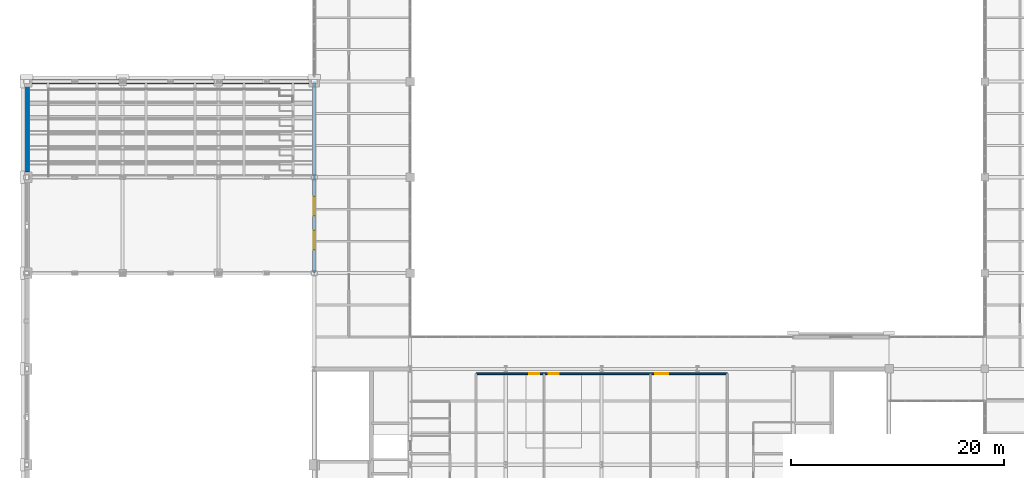
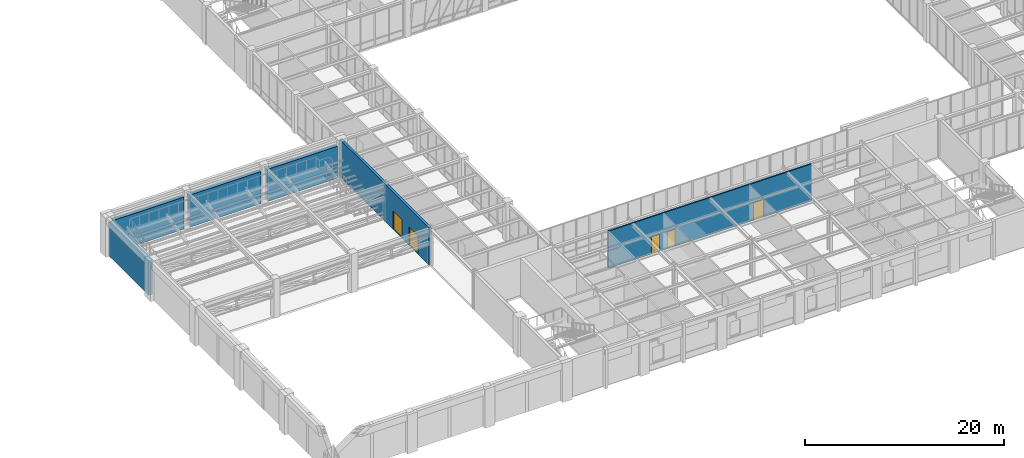
# One storey, part 80 of 92: 6 walls, 5 doors, 5 openings.
"""IFC4 building model written with IfcOpenShell, lengths in metres."""

from ifc_helpers import new_model, si_unit, direction, frame, frame_2d, origin, place, context, subcontext, project, spatial, rectangle, extrude, material, layer, layer_set, type_object, element, fill, save


model = new_model("IFC4")

# Units and contexts
model_context = context("Model", 3, precision=1e-05, world=origin(), true_north=direction((0.0, 1.0)))
body_context = subcontext(model_context, "Body", "Model", "MODEL_VIEW")
ifc_project = project(units=[si_unit("LENGTHUNIT", "METRE"), si_unit("AREAUNIT", "SQUARE_METRE"), si_unit("VOLUMEUNIT", "CUBIC_METRE"), si_unit("PLANEANGLEUNIT", "RADIAN"), si_unit("MASSUNIT", "GRAM", prefix="KILO")], contexts=[model_context])

# Site, building, storey
site_placement = place(None, origin())
site = spatial("IfcSite", under=ifc_project, at=site_placement, CompositionType="ELEMENT")
building_placement = place(site_placement, origin())
building = spatial("IfcBuilding", under=site, at=building_placement, Name="Lykobir Media Centre", CompositionType="ELEMENT")
storey_placement = place(building_placement, frame((0.0, 0.0, 5.39990234375)))
storey = spatial("IfcBuildingStorey", under=building, at=storey_placement, Name="L01", CompositionType="ELEMENT", Elevation=5.39990234375)

# Walls
ifc_material_1 = material(Name="Concrete C35/45", Category="concrete")
ifc_layer_1 = layer(ifc_material_1, 0.4599609375, Name="Concrete C35/45")
ifc_layer_set_1 = layer_set([ifc_layer_1], Name="Concrete C35/45")
wall_type_1 = type_object("IfcWallType", Name="EW-ACO-460", PredefinedType="STANDARD", material=ifc_layer_set_1)
wall_1_placement = place(storey_placement, frame((8.6650390625, 45.0, 0.0), z_axis=(0.0, 0.0, 1.0), x_axis=(-1.0, 0.0, 0.0)))
element("IfcWall", 1, at=wall_1_placement, inside=storey, type_object=wall_type_1, Name="Exterior wall WALL-L01-0144", PredefinedType="STANDARD", context=body_context, shape_type="SweptSolid", body=[
    extrude(rectangle(XDim=8.179931640625, YDim=0.4599609375, at=frame_2d((4.08984375, 0.0))), origin(), (0.0, 0.0, 1.0), 3.93505859375),
])
wall_2_placement = place(storey_placement, frame((17.614990234375, 45.0, 0.0), z_axis=(0.0, 0.0, 1.0), x_axis=(-1.0, 0.0, 0.0)))
element("IfcWall", 2, at=wall_2_placement, inside=storey, type_object=wall_type_1, Name="Exterior wall WALL-L01-0145", PredefinedType="STANDARD", context=body_context, shape_type="SweptSolid", body=[
    extrude(rectangle(XDim=8.280029296875, YDim=0.4599609375, at=frame_2d((4.14013671875, 0.0))), origin(), (0.0, 0.0, 1.0), 3.93505859375),
])
wall_3_placement = place(storey_placement, frame((26.514892578125, 45.0, 0.0), z_axis=(0.0, 0.0, 1.0), x_axis=(-1.0, 0.0, 0.0)))
element("IfcWall", 3, at=wall_3_placement, inside=storey, type_object=wall_type_1, Name="Exterior wall WALL-L01-0146", PredefinedType="STANDARD", context=body_context, shape_type="SweptSolid", body=[
    extrude(rectangle(XDim=8.1298828125, YDim=0.4599609375, at=frame_2d((4.06494140625, 0.0))), origin(), (0.0, 0.0, 1.0), 3.93505859375),
])
wall_4_placement = place(storey_placement, frame((0.0, 44.514892578125, 0.0), z_axis=(0.0, 0.0, 1.0), x_axis=(0.0, -1.0, 0.0)))
element("IfcWall", 4, at=wall_4_placement, inside=storey, type_object=wall_type_1, Name="Exterior wall WALL-L01-0148", PredefinedType="STANDARD", context=body_context, shape_type="SweptSolid", body=[
    extrude(rectangle(XDim=8.02978515625, YDim=0.4599609375, at=frame_2d((4.014892578125, 0.0))), origin(), (0.0, 0.0, 1.0), 4.18505859375),
])

# Wall, openings, doors
ifc_material_2 = material(Name="Acoustic Gypsum Board", Category="gypsum")
ifc_layer_2 = layer(ifc_material_2, 0.159912109375, Name="Acoustic Gypsum Board")
ifc_layer_set_2 = layer_set([ifc_layer_2], Name="Acoustic Gypsum Board")
wall_type_2 = type_object("IfcWallType", Name="IW-COR-160", PredefinedType="PARTITIONING", material=ifc_layer_set_2)
wall_5_placement = place(storey_placement, frame((42.199951171875, 17.550048828125, 0.0), z_axis=(0.0, 0.0, 1.0), x_axis=(1.0, 0.0, 0.0)))
wall_5 = element("IfcWall", 5, at=wall_5_placement, inside=storey, type_object=wall_type_2, Name="Wall IWALL-L01-0677", PredefinedType="PARTITIONING", context=body_context, shape_type="SweptSolid", body=[
    extrude(rectangle(XDim=23.60009765625, YDim=0.159912109375, at=frame_2d((11.800048828125, 0.0))), origin(), (0.0, 0.0, 1.0), 4.56005859375),
])
opening_1_placement = place(wall_5_placement, frame((5.0, 0.0, 0.0)))
opening_1 = element("IfcOpeningElement", 6, at=opening_1_placement, cuts=wall_5, Name="Opening D-L01-V7R1", PredefinedType="OPENING", context=body_context, shape_type="SweptSolid", body=[
    extrude(rectangle(XDim=0.949951171875, YDim=2.1201171875, at=frame_2d((0.47509765625, 1.06005859375))), frame((0.0, 0.08984375, 0.0), z_axis=(0.0, -1.0, 0.0), x_axis=(1.0, 0.0, 0.0)), (0.0, 0.0, 1.0), 0.179931640625),
])
opening_2_placement = place(wall_5_placement, frame((6.85009765625, 0.0, 0.0)))
opening_2 = element("IfcOpeningElement", 7, at=opening_2_placement, cuts=wall_5, Name="Opening D-L01-V7R2", PredefinedType="OPENING", context=body_context, shape_type="SweptSolid", body=[
    extrude(rectangle(XDim=0.89990234375, YDim=2.10009765625, at=frame_2d((0.449951171875, 1.050048828125))), frame((0.0, 0.08984375, 0.0), z_axis=(0.0, -1.0, 0.0), x_axis=(1.0, 0.0, 0.0)), (0.0, 0.0, 1.0), 0.179931640625),
])
opening_3_placement = place(wall_5_placement, frame((16.85009765625, 0.0, 0.0)))
opening_3 = element("IfcOpeningElement", 8, at=opening_3_placement, cuts=wall_5, Name="Opening D-L01-V7R3", PredefinedType="OPENING", context=body_context, shape_type="SweptSolid", body=[
    extrude(rectangle(XDim=1.199951171875, YDim=2.179931640625, at=frame_2d((0.60009765625, 1.08984375))), frame((0.0, 0.08984375, 0.0), z_axis=(0.0, -1.0, 0.0), x_axis=(1.0, 0.0, 0.0)), (0.0, 0.0, 1.0), 0.179931640625),
])
ifc_material_3 = material(Name="Acoustic Timber Panelling", Category="wood")
door_type_1 = type_object("IfcDoorType", Name="FD-0900x2100", OperationType="NOTDEFINED", PredefinedType="DOOR", material=ifc_material_3)
door_1_placement = place(opening_2_placement, origin())
door_1 = element("IfcDoor", 9, at=door_1_placement, inside=storey, type_object=door_type_1, Name="Door D-L01-V7R2", OperationType="SINGLE_SWING_LEFT", OverallHeight=2.10009765625, OverallWidth=0.89990234375, PredefinedType="DOOR", context=body_context, shape_type="SweptSolid", body=[
    extrude(rectangle(XDim=0.89990234375, YDim=2.10009765625, at=frame_2d((0.449951171875, 1.050048828125))), frame((0.0, 0.02490234375, 0.0), z_axis=(0.0, -1.0, 0.0), x_axis=(1.0, 0.0, 0.0)), (0.0, 0.0, 1.0), 0.050048828125),
])
fill(opening_2, door_1)
door_type_2 = type_object("IfcDoorType", Name="FD-0950x2120", OperationType="NOTDEFINED", PredefinedType="DOOR", material=ifc_material_3)
door_2_placement = place(opening_1_placement, origin())
door_2 = element("IfcDoor", 10, at=door_2_placement, inside=storey, type_object=door_type_2, Name="Door D-L01-V7R1", OperationType="SINGLE_SWING_LEFT", OverallHeight=2.1201171875, OverallWidth=0.949951171875, PredefinedType="DOOR", context=body_context, shape_type="SweptSolid", body=[
    extrude(rectangle(XDim=0.949951171875, YDim=2.1201171875, at=frame_2d((0.47509765625, 1.06005859375))), frame((0.0, 0.02490234375, 0.0), z_axis=(0.0, -1.0, 0.0), x_axis=(1.0, 0.0, 0.0)), (0.0, 0.0, 1.0), 0.050048828125),
])
fill(opening_1, door_2)
door_type_3 = type_object("IfcDoorType", Name="FD-1200x2180", OperationType="NOTDEFINED", PredefinedType="DOOR", material=ifc_material_3)
door_3_placement = place(opening_3_placement, origin())
door_3 = element("IfcDoor", 11, at=door_3_placement, inside=storey, type_object=door_type_3, Name="Door D-L01-V7R3", OperationType="SINGLE_SWING_LEFT", OverallHeight=2.179931640625, OverallWidth=1.199951171875, PredefinedType="DOOR", context=body_context, shape_type="SweptSolid", body=[
    extrude(rectangle(XDim=1.199951171875, YDim=2.179931640625, at=frame_2d((0.60009765625, 1.08984375))), frame((0.0, 0.02490234375, 0.0), z_axis=(0.0, -1.0, 0.0), x_axis=(1.0, 0.0, 0.0)), (0.0, 0.0, 1.0), 0.050048828125),
])
fill(opening_3, door_3)

ifc_material_4 = material(Name="Concrete C40/50", Category="concrete")
ifc_layer_3 = layer(ifc_material_4, 0.300048828125, Name="Concrete C40/50")
ifc_layer_set_3 = layer_set([ifc_layer_3], Name="Concrete C40/50")
wall_type_3 = type_object("IfcWallType", Name="SW-COMP-300", PredefinedType="SHEAR", material=ifc_layer_set_3)
wall_6_placement = place(storey_placement, frame((27.0, 27.0, 0.0), z_axis=(0.0, 0.0, 1.0), x_axis=(0.0, 1.0, 0.0)))
wall_6 = element("IfcWall", 12, at=wall_6_placement, inside=storey, type_object=wall_type_3, Name="Wall IWALL-L01-0685", PredefinedType="SHEAR", context=body_context, shape_type="SweptSolid", body=[
    extrude(rectangle(XDim=18.0, YDim=0.300048828125, at=frame_2d((9.0, 0.0))), origin(), (0.0, 0.0, 1.0), 4.56005859375),
])
opening_4_placement = place(wall_6_placement, frame((2.199951171875, 0.0, 0.0)))
opening_4 = element("IfcOpeningElement", 13, at=opening_4_placement, cuts=wall_6, Name="Opening D-L01-CIN1", PredefinedType="OPENING", context=body_context, shape_type="SweptSolid", body=[
    extrude(rectangle(XDim=1.800048828125, YDim=2.280029296875, at=frame_2d((0.89990234375, 1.14013671875))), frame((0.0, 0.159912109375, 0.0), z_axis=(0.0, -1.0, 0.0), x_axis=(1.0, 0.0, 0.0)), (0.0, 0.0, 1.0), 0.320068359375),
])
opening_5_placement = place(wall_6_placement, frame((5.39990234375, 0.0, 0.0)))
opening_5 = element("IfcOpeningElement", 14, at=opening_5_placement, cuts=wall_6, Name="Opening D-L01-CIN2", PredefinedType="OPENING", context=body_context, shape_type="SweptSolid", body=[
    extrude(rectangle(XDim=1.800048828125, YDim=2.280029296875, at=frame_2d((0.89990234375, 1.14013671875))), frame((0.0, 0.159912109375, 0.0), z_axis=(0.0, -1.0, 0.0), x_axis=(1.0, 0.0, 0.0)), (0.0, 0.0, 1.0), 0.320068359375),
])
door_type_4 = type_object("IfcDoorType", Name="FD-1800x2280", OperationType="NOTDEFINED", PredefinedType="DOOR", material=ifc_material_3)
door_4_placement = place(opening_4_placement, origin())
door_4 = element("IfcDoor", 15, at=door_4_placement, inside=storey, type_object=door_type_4, Name="Door D-L01-CIN1", OperationType="DOUBLE_DOOR_SINGLE_SWING", OverallHeight=2.280029296875, OverallWidth=1.800048828125, PredefinedType="DOOR", context=body_context, shape_type="SweptSolid", body=[
    extrude(rectangle(XDim=1.800048828125, YDim=2.280029296875, at=frame_2d((0.89990234375, 1.14013671875))), frame((0.0, 0.02490234375, 0.0), z_axis=(0.0, -1.0, 0.0), x_axis=(1.0, 0.0, 0.0)), (0.0, 0.0, 1.0), 0.050048828125),
])
fill(opening_4, door_4)
door_5_placement = place(opening_5_placement, origin())
door_5 = element("IfcDoor", 16, at=door_5_placement, inside=storey, type_object=door_type_4, Name="Door D-L01-CIN2", OperationType="DOUBLE_DOOR_SINGLE_SWING", OverallHeight=2.280029296875, OverallWidth=1.800048828125, PredefinedType="DOOR", context=body_context, shape_type="SweptSolid", body=[
    extrude(rectangle(XDim=1.800048828125, YDim=2.280029296875, at=frame_2d((0.89990234375, 1.14013671875))), frame((0.0, 0.02490234375, 0.0), z_axis=(0.0, -1.0, 0.0), x_axis=(1.0, 0.0, 0.0)), (0.0, 0.0, 1.0), 0.050048828125),
])
fill(opening_5, door_5)

save(model, "model.ifc")
